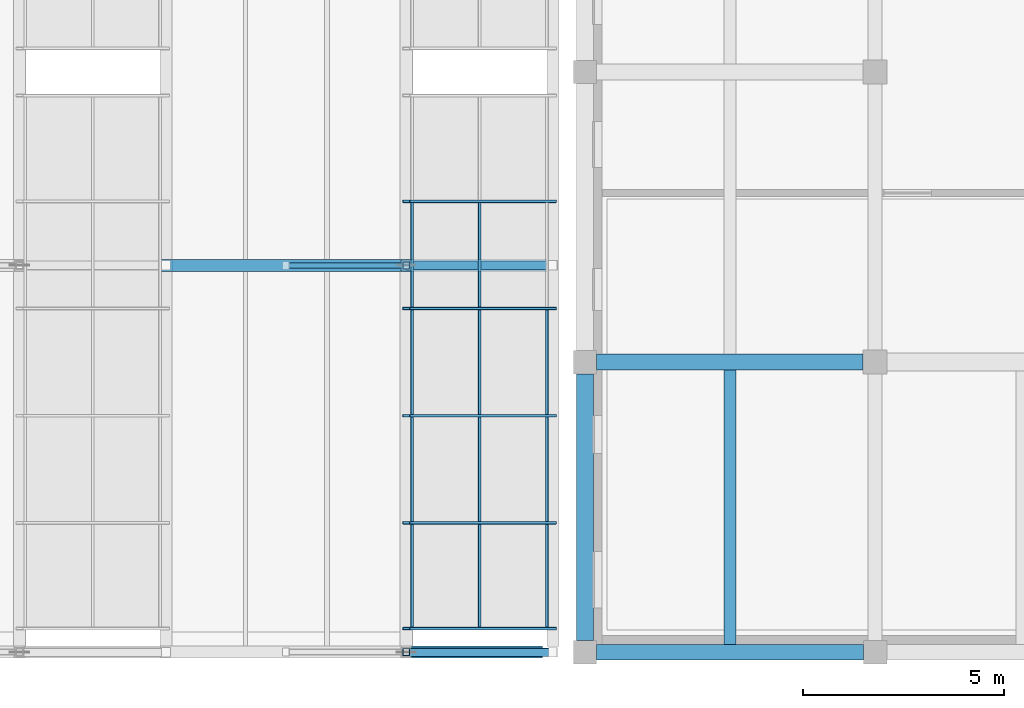
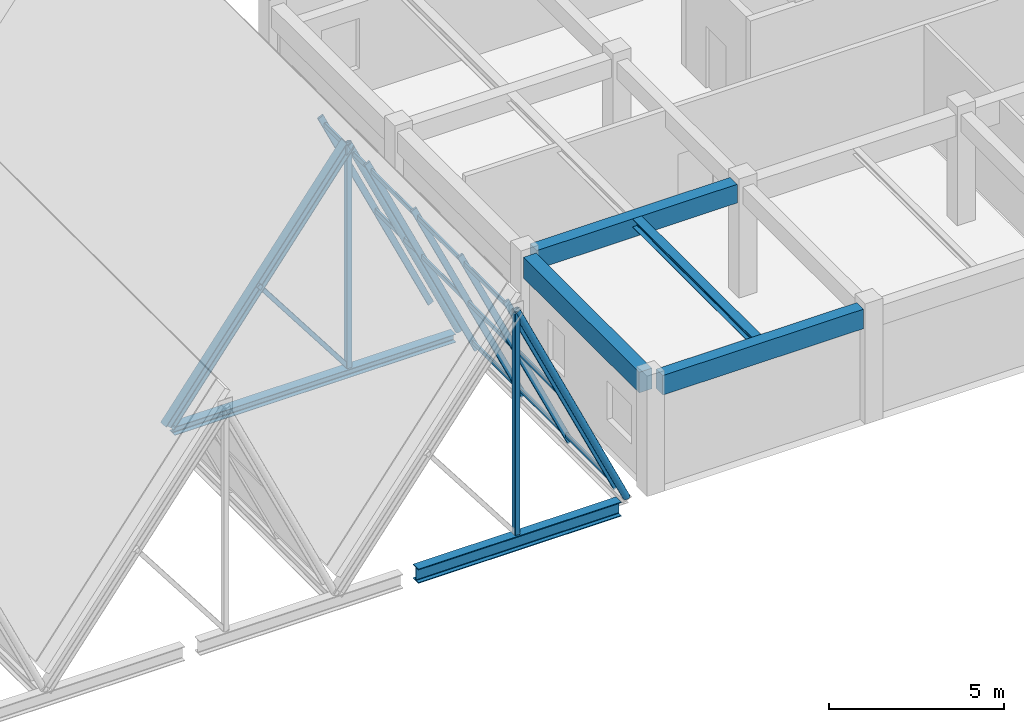
# One storey, part 20 of 99: 23 members, 5 beams, 1 element without a shape of its own.
"""IFC4 building model written with IfcOpenShell, lengths in metres."""

from ifc_helpers import new_model, si_unit, direction, frame, origin, origin_2d, place, context, subcontext, project, spatial, rectangle, hollow_rectangle, hollow_circle, i_section, extrude, material, material_profile, profile_set, type_object, element, aggregate, save


model = new_model("IFC4")

# Units and contexts
model_context = context("Model", 3, precision=1e-05, world=origin(), true_north=direction((0.0, 1.0)))
body_context = subcontext(model_context, "Body", "Model", "MODEL_VIEW")
ifc_project = project(units=[si_unit("LENGTHUNIT", "METRE"), si_unit("AREAUNIT", "SQUARE_METRE"), si_unit("VOLUMEUNIT", "CUBIC_METRE"), si_unit("PLANEANGLEUNIT", "RADIAN"), si_unit("MASSUNIT", "GRAM", prefix="KILO")], contexts=[model_context])

# Site, building, storey
site_placement = place(None, origin())
site = spatial("IfcSite", under=ifc_project, at=site_placement, CompositionType="ELEMENT")
building_placement = place(site_placement, origin())
building = spatial("IfcBuilding", under=site, at=building_placement, Name="Bramveld Media Centre", CompositionType="ELEMENT")
storey_placement = place(building_placement, frame((0.0, 0.0, 13.800048828125)))
storey = spatial("IfcBuildingStorey", under=building, at=storey_placement, Name="L03", CompositionType="ELEMENT", Elevation=13.800048828125)

# Beam
ifc_material_1 = material(Name="Concrete C40/50", Category="concrete")
ifc_material_profile_1 = material_profile(ifc_material_1, rectangle(XDim=0.39990234375, YDim=0.64990234375, at=origin_2d()), Name="RC 400x650")
ifc_profile_set_1 = profile_set([ifc_material_profile_1], Name="Concrete C40/50")
beam_type_1 = type_object("IfcBeamType", Name="BM-INT-RC-400x650", PredefinedType="BEAM", material=ifc_profile_set_1)
beam_1_placement = place(storey_placement, frame((58.68994140625, 7.199951171875, 3.635009765625), z_axis=(1.0, 0.0, 0.0), x_axis=(0.0, 1.0, 0.0)))
element("IfcBeam", 1, at=beam_1_placement, inside=storey, type_object=beam_type_1, Name="V5 L03 girder X-835", PredefinedType="BEAM", context=body_context, shape_type="SweptSolid", body=[
    extrude(rectangle(XDim=0.39990234375, YDim=0.64990234375, at=origin_2d()), origin(), (0.0, 0.0, 1.0), 6.610107421875),
])

# Curtain wall, members
ifc_material_2 = material(Name="Thermally broken anodized bronze aluminium unitized curtain wall with solar-control triple glazing", Category="aluminium")
curtain_wall_type = type_object("IfcCurtainWallType", Name="CW-SAW-13300x8606", PredefinedType="NOTDEFINED", material=ifc_material_2)
curtain_wall_placement = place(storey_placement, origin())
curtain_wall = element("IfcCurtainWall", 2, at=curtain_wall_placement, inside=storey, type_object=curtain_wall_type, Name="V2 sawtooth north-light clerestory B6-S1", PredefinedType="NOTDEFINED")
ifc_material_3 = material(Name="Thermally broken anodized bronze aluminium EN AW-6063 T6 curtain-wall framing", Category="aluminium")
ifc_material_profile_2 = material_profile(ifc_material_3, hollow_rectangle(XDim=0.070068359375, YDim=0.199951171875, WallThickness=0.00439453125, InnerFilletRadius=0.00439453125, OuterFilletRadius=0.009033203125, at=origin_2d()), Name="AL-MULL 70x200")
ifc_profile_set_2 = profile_set([ifc_material_profile_2], Name="Thermally broken anodized bronze aluminium EN AW-6063 T6 curtain-wall framing")
member_type_1 = type_object("IfcMemberType", Name="CW-MULL-SLP", PredefinedType="MULLION", material=ifc_profile_set_2)
member_1_placement = place(storey_placement, frame((57.60009765625, 0.5849609375, -0.02001953125), z_axis=(-0.423956992265, 0.0, 0.90568232218), x_axis=(0.0, -1.0, 0.0)))
member_1 = element("IfcMember", 3, at=member_1_placement, type_object=member_type_1, Name="CW-SA-13386 sloped mullion 1", PredefinedType="MULLION", context=body_context, shape_type="SweptSolid", body=[
    extrude(hollow_rectangle(XDim=0.070068359375, YDim=0.199951171875, WallThickness=0.00439453125, InnerFilletRadius=0.00439453125, OuterFilletRadius=0.009033203125, at=origin_2d()), origin(), (0.0, 0.0, 1.0), 8.5791015625),
])
member_2_placement = place(storey_placement, frame((57.60009765625, 3.2099609375, -0.02001953125), z_axis=(-0.423956992265, 0.0, 0.90568232218), x_axis=(0.0, -1.0, 0.0)))
member_2 = element("IfcMember", 4, at=member_2_placement, type_object=member_type_1, Name="CW-SA-13386 sloped mullion 2", PredefinedType="MULLION", context=body_context, shape_type="SweptSolid", body=[
    extrude(hollow_rectangle(XDim=0.070068359375, YDim=0.199951171875, WallThickness=0.00439453125, InnerFilletRadius=0.00439453125, OuterFilletRadius=0.009033203125, at=origin_2d()), origin(), (0.0, 0.0, 1.0), 8.5791015625),
])
member_3_placement = place(storey_placement, frame((57.60009765625, 5.8701171875, -0.02001953125), z_axis=(-0.423956992265, 0.0, 0.90568232218), x_axis=(0.0, -1.0, 0.0)))
member_3 = element("IfcMember", 5, at=member_3_placement, type_object=member_type_1, Name="CW-SA-13386 sloped mullion 3", PredefinedType="MULLION", context=body_context, shape_type="SweptSolid", body=[
    extrude(hollow_rectangle(XDim=0.070068359375, YDim=0.199951171875, WallThickness=0.00439453125, InnerFilletRadius=0.00439453125, OuterFilletRadius=0.009033203125, at=origin_2d()), origin(), (0.0, 0.0, 1.0), 8.5791015625),
])
member_4_placement = place(storey_placement, frame((57.60009765625, 8.530029296875, -0.02001953125), z_axis=(-0.423956992265, 0.0, 0.90568232218), x_axis=(0.0, -1.0, 0.0)))
member_4 = element("IfcMember", 6, at=member_4_placement, type_object=member_type_1, Name="CW-SA-13386 sloped mullion 4", PredefinedType="MULLION", context=body_context, shape_type="SweptSolid", body=[
    extrude(hollow_rectangle(XDim=0.070068359375, YDim=0.199951171875, WallThickness=0.00439453125, InnerFilletRadius=0.00439453125, OuterFilletRadius=0.009033203125, at=origin_2d()), origin(), (0.0, 0.0, 1.0), 8.5791015625),
])
member_5_placement = place(storey_placement, frame((57.60009765625, 11.18994140625, -0.02001953125), z_axis=(-0.423956992265, 0.0, 0.90568232218), x_axis=(0.0, -1.0, 0.0)))
member_5 = element("IfcMember", 7, at=member_5_placement, type_object=member_type_1, Name="CW-SA-13386 sloped mullion 5", PredefinedType="MULLION", context=body_context, shape_type="SweptSolid", body=[
    extrude(hollow_rectangle(XDim=0.070068359375, YDim=0.199951171875, WallThickness=0.00439453125, InnerFilletRadius=0.00439453125, OuterFilletRadius=0.009033203125, at=origin_2d()), origin(), (0.0, 0.0, 1.0), 8.5791015625),
])
ifc_material_4 = material(Name="Thermally broken anodized bronze aluminium EN AW-6063 T6 curtain-wall framing", Category="aluminium")
ifc_material_profile_3 = material_profile(ifc_material_4, hollow_rectangle(XDim=0.070068359375, YDim=0.14990234375, WallThickness=0.00390625, InnerFilletRadius=0.00390625, OuterFilletRadius=0.008056640625, at=origin_2d()), Name="AL-TRAN 70x150")
ifc_profile_set_3 = profile_set([ifc_material_profile_3], Name="Thermally broken anodized bronze aluminium EN AW-6063 T6 curtain-wall framing")
member_type_2 = type_object("IfcMemberType", Name="CW-TRAN-SLP", PredefinedType="USERDEFINED", material=ifc_profile_set_3)
member_6_placement = place(storey_placement, frame((57.45458984375, 0.6201171875, 0.290771484375), z_axis=(0.0, 1.0, 0.0), x_axis=(-1.0, 0.0, 0.0)))
member_6 = element("IfcMember", 8, at=member_6_placement, type_object=member_type_2, Name="CW-SA-13386 transom 1.1", ObjectType="TRANSOM", PredefinedType="USERDEFINED", context=body_context, shape_type="SweptSolid", body=[
    extrude(hollow_rectangle(XDim=0.070068359375, YDim=0.14990234375, WallThickness=0.00390625, InnerFilletRadius=0.00390625, OuterFilletRadius=0.008056640625, at=origin_2d()), origin(), (0.0, 0.0, 1.0), 2.554931640625),
])
member_7_placement = place(storey_placement, frame((55.781494140625, 0.6201171875, 3.864990234375), z_axis=(0.0, 1.0, 0.0), x_axis=(-1.0, 0.0, 0.0)))
member_7 = element("IfcMember", 9, at=member_7_placement, type_object=member_type_2, Name="CW-SA-13386 transom 1.2", ObjectType="TRANSOM", PredefinedType="USERDEFINED", context=body_context, shape_type="SweptSolid", body=[
    extrude(hollow_rectangle(XDim=0.070068359375, YDim=0.14990234375, WallThickness=0.00390625, InnerFilletRadius=0.00390625, OuterFilletRadius=0.008056640625, at=origin_2d()), origin(), (0.0, 0.0, 1.0), 2.554931640625),
])
member_8_placement = place(storey_placement, frame((54.1083984375, 0.6201171875, 7.439208984375), z_axis=(0.0, 1.0, 0.0), x_axis=(-1.0, 0.0, 0.0)))
member_8 = element("IfcMember", 10, at=member_8_placement, type_object=member_type_2, Name="CW-SA-13386 transom 1.3", ObjectType="TRANSOM", PredefinedType="USERDEFINED", context=body_context, shape_type="SweptSolid", body=[
    extrude(hollow_rectangle(XDim=0.070068359375, YDim=0.14990234375, WallThickness=0.00390625, InnerFilletRadius=0.00390625, OuterFilletRadius=0.008056640625, at=origin_2d()), origin(), (0.0, 0.0, 1.0), 2.554931640625),
])
member_9_placement = place(storey_placement, frame((57.45458984375, 3.2451171875, 0.290771484375), z_axis=(0.0, 1.0, 0.0), x_axis=(-1.0, 0.0, 0.0)))
member_9 = element("IfcMember", 11, at=member_9_placement, type_object=member_type_2, Name="CW-SA-13386 transom 2.1", ObjectType="TRANSOM", PredefinedType="USERDEFINED", context=body_context, shape_type="SweptSolid", body=[
    extrude(hollow_rectangle(XDim=0.070068359375, YDim=0.14990234375, WallThickness=0.00390625, InnerFilletRadius=0.00390625, OuterFilletRadius=0.008056640625, at=origin_2d()), origin(), (0.0, 0.0, 1.0), 2.58984375),
])
member_10_placement = place(storey_placement, frame((55.781494140625, 3.2451171875, 3.864990234375), z_axis=(0.0, 1.0, 0.0), x_axis=(-1.0, 0.0, 0.0)))
member_10 = element("IfcMember", 12, at=member_10_placement, type_object=member_type_2, Name="CW-SA-13386 transom 2.2", ObjectType="TRANSOM", PredefinedType="USERDEFINED", context=body_context, shape_type="SweptSolid", body=[
    extrude(hollow_rectangle(XDim=0.070068359375, YDim=0.14990234375, WallThickness=0.00390625, InnerFilletRadius=0.00390625, OuterFilletRadius=0.008056640625, at=origin_2d()), origin(), (0.0, 0.0, 1.0), 2.58984375),
])
member_11_placement = place(storey_placement, frame((54.1083984375, 3.2451171875, 7.439208984375), z_axis=(0.0, 1.0, 0.0), x_axis=(-1.0, 0.0, 0.0)))
member_11 = element("IfcMember", 13, at=member_11_placement, type_object=member_type_2, Name="CW-SA-13386 transom 2.3", ObjectType="TRANSOM", PredefinedType="USERDEFINED", context=body_context, shape_type="SweptSolid", body=[
    extrude(hollow_rectangle(XDim=0.070068359375, YDim=0.14990234375, WallThickness=0.00390625, InnerFilletRadius=0.00390625, OuterFilletRadius=0.008056640625, at=origin_2d()), origin(), (0.0, 0.0, 1.0), 2.58984375),
])
member_12_placement = place(storey_placement, frame((57.45458984375, 5.905029296875, 0.290771484375), z_axis=(0.0, 1.0, 0.0), x_axis=(-1.0, 0.0, 0.0)))
member_12 = element("IfcMember", 14, at=member_12_placement, type_object=member_type_2, Name="CW-SA-13386 transom 3.1", ObjectType="TRANSOM", PredefinedType="USERDEFINED", context=body_context, shape_type="SweptSolid", body=[
    extrude(hollow_rectangle(XDim=0.070068359375, YDim=0.14990234375, WallThickness=0.00390625, InnerFilletRadius=0.00390625, OuterFilletRadius=0.008056640625, at=origin_2d()), origin(), (0.0, 0.0, 1.0), 2.590087890625),
])
member_13_placement = place(storey_placement, frame((55.781494140625, 5.905029296875, 3.864990234375), z_axis=(0.0, 1.0, 0.0), x_axis=(-1.0, 0.0, 0.0)))
member_13 = element("IfcMember", 15, at=member_13_placement, type_object=member_type_2, Name="CW-SA-13386 transom 3.2", ObjectType="TRANSOM", PredefinedType="USERDEFINED", context=body_context, shape_type="SweptSolid", body=[
    extrude(hollow_rectangle(XDim=0.070068359375, YDim=0.14990234375, WallThickness=0.00390625, InnerFilletRadius=0.00390625, OuterFilletRadius=0.008056640625, at=origin_2d()), origin(), (0.0, 0.0, 1.0), 2.590087890625),
])
member_14_placement = place(storey_placement, frame((54.1083984375, 5.905029296875, 7.439208984375), z_axis=(0.0, 1.0, 0.0), x_axis=(-1.0, 0.0, 0.0)))
member_14 = element("IfcMember", 16, at=member_14_placement, type_object=member_type_2, Name="CW-SA-13386 transom 3.3", ObjectType="TRANSOM", PredefinedType="USERDEFINED", context=body_context, shape_type="SweptSolid", body=[
    extrude(hollow_rectangle(XDim=0.070068359375, YDim=0.14990234375, WallThickness=0.00390625, InnerFilletRadius=0.00390625, OuterFilletRadius=0.008056640625, at=origin_2d()), origin(), (0.0, 0.0, 1.0), 2.590087890625),
])
member_15_placement = place(storey_placement, frame((55.781494140625, 8.56494140625, 3.864990234375), z_axis=(0.0, 1.0, 0.0), x_axis=(-1.0, 0.0, 0.0)))
member_15 = element("IfcMember", 17, at=member_15_placement, type_object=member_type_2, Name="CW-SA-13386 transom 4.2", ObjectType="TRANSOM", PredefinedType="USERDEFINED", context=body_context, shape_type="SweptSolid", body=[
    extrude(hollow_rectangle(XDim=0.070068359375, YDim=0.14990234375, WallThickness=0.00390625, InnerFilletRadius=0.00390625, OuterFilletRadius=0.008056640625, at=origin_2d()), origin(), (0.0, 0.0, 1.0), 2.590087890625),
])
member_16_placement = place(storey_placement, frame((54.1083984375, 8.56494140625, 7.439208984375), z_axis=(0.0, 1.0, 0.0), x_axis=(-1.0, 0.0, 0.0)))
member_16 = element("IfcMember", 18, at=member_16_placement, type_object=member_type_2, Name="CW-SA-13386 transom 4.3", ObjectType="TRANSOM", PredefinedType="USERDEFINED", context=body_context, shape_type="SweptSolid", body=[
    extrude(hollow_rectangle(XDim=0.070068359375, YDim=0.14990234375, WallThickness=0.00390625, InnerFilletRadius=0.00390625, OuterFilletRadius=0.008056640625, at=origin_2d()), origin(), (0.0, 0.0, 1.0), 2.590087890625),
])
aggregate(curtain_wall, [member_1, member_2, member_3, member_4, member_5, member_6, member_7, member_8, member_9, member_10, member_11, member_12, member_13, member_14, member_15, member_16])

# Members
ifc_material_5 = material(Name="Steel S355J2H", Category="steel")
ifc_material_profile_4 = material_profile(ifc_material_5, hollow_circle(Radius=0.109619140625, WallThickness=0.012451171875, at=origin_2d()), Name="CHS 219.1x12.5")
ifc_profile_set_4 = profile_set([ifc_material_profile_4], Name="Steel S355J2H")
member_type_3 = type_object("IfcMemberType", Name="MEM-BRACE-CHS219", PredefinedType="BRACE", material=ifc_profile_set_4)
for number, where, z_axis, x_axis, name in (
    (19, (57.60009765625, 0.0, 0.0), (-0.422616785161, 0.0, 0.906308475575), (0.0, -1.0, 0.0), "TRUSS-V2-B06-F1 north-light strut"),
    (20, (57.60009765625, 9.60009765625, 0.0), (-0.422616785161, 0.0, 0.906308475575), (0.0, -1.0, 0.0), "TRUSS-V2-B06-F2 north-light strut"),
):
    element("IfcMember", number, at=place(storey_placement, frame(where, z_axis=z_axis, x_axis=x_axis)), inside=storey, type_object=member_type_3, Name=name, PredefinedType="BRACE", context=body_context, shape_type="SweptSolid", body=[
        extrude(hollow_circle(Radius=0.109619140625, WallThickness=0.012451171875, at=origin_2d()), origin(), (0.0, 0.0, 1.0), 8.6064453125),
    ])
ifc_material_6 = material(Name="Steel S355J2H", Category="steel")
ifc_material_profile_5 = material_profile(ifc_material_6, hollow_rectangle(XDim=0.14990234375, YDim=0.14990234375, WallThickness=0.010009765625, InnerFilletRadius=0.010009765625, OuterFilletRadius=0.02001953125, at=origin_2d()), Name="SHS 150x150x10")
ifc_profile_set_5 = profile_set([ifc_material_profile_5], Name="Steel S355J2H")
member_type_4 = type_object("IfcMemberType", Name="MEM-BRACE-SHS150", PredefinedType="BRACE", material=ifc_profile_set_5)
member_17_placement = place(storey_placement, frame((53.962890625, 9.60009765625, 0.0), z_axis=(-0.607343034298, 0.0, 0.794439701104), x_axis=(0.0, -1.0, 0.0)))
element("IfcMember", 21, at=member_17_placement, inside=storey, type_object=member_type_4, Name="TRUSS-V2-B06-F2 web diagonal", PredefinedType="BRACE", context=body_context, shape_type="SweptSolid", body=[
    extrude(hollow_rectangle(XDim=0.14990234375, YDim=0.14990234375, WallThickness=0.010009765625, InnerFilletRadius=0.010009765625, OuterFilletRadius=0.02001953125, at=origin_2d()), origin(), (0.0, 0.0, 1.0), 4.908935546875),
])
ifc_material_7 = material(Name="Steel S355J2", Category="steel")
ifc_material_profile_6 = material_profile(ifc_material_7, i_section(OverallWidth=0.300048828125, OverallDepth=0.2900390625, WebThickness=0.008544921875, FlangeThickness=0.013916015625, FilletRadius=0.027099609375, at=origin_2d()), Name="HEA 300")
ifc_profile_set_6 = profile_set([ifc_material_profile_6], Name="Steel S355J2")
member_type_5 = type_object("IfcMemberType", Name="MEM-CHORD-HEA300", PredefinedType="CHORD", material=ifc_profile_set_6)
member_18_placement = place(storey_placement, frame((48.159912109375, 9.60009765625, -0.14501953125), z_axis=(1.0, 0.0, 0.0), x_axis=(0.0, 1.0, 0.0)))
element("IfcMember", 22, at=member_18_placement, inside=storey, type_object=member_type_5, Name="TRUSS-V2-B06-F2 bottom tie chord", PredefinedType="CHORD", context=body_context, shape_type="SweptSolid", body=[
    extrude(i_section(OverallWidth=0.300048828125, OverallDepth=0.2900390625, WebThickness=0.008544921875, FlangeThickness=0.013916015625, FilletRadius=0.027099609375, at=origin_2d()), origin(), (0.0, 0.0, 1.0), 9.280029296875),
])
ifc_material_8 = material(Name="Steel S355J2", Category="steel")
ifc_material_profile_7 = material_profile(ifc_material_8, i_section(OverallWidth=0.300048828125, OverallDepth=0.340087890625, WebThickness=0.011962890625, FlangeThickness=0.021484375, FilletRadius=0.027099609375, at=origin_2d()), Name="HEB 340")
ifc_profile_set_7 = profile_set([ifc_material_profile_7], Name="Steel S355J2")
member_type_6 = type_object("IfcMemberType", Name="MEM-CHORD-HEB340", PredefinedType="CHORD", material=ifc_profile_set_7)
member_19_placement = place(storey_placement, frame((48.0, 9.60009765625, 0.0), z_axis=(0.607331036372, 0.0, 0.794448873282), x_axis=(0.0, 1.0, 0.0)))
element("IfcMember", 23, at=member_19_placement, inside=storey, type_object=member_type_6, Name="TRUSS-V2-B06-F2 top rafter chord", PredefinedType="CHORD", context=body_context, shape_type="SweptSolid", body=[
    extrude(i_section(OverallWidth=0.300048828125, OverallDepth=0.340087890625, WebThickness=0.011962890625, FlangeThickness=0.021484375, FilletRadius=0.027099609375, at=origin_2d()), origin(), (0.0, 0.0, 1.0), 9.818115234375),
])
ifc_material_9 = material(Name="Steel S355J2H", Category="steel")
ifc_material_profile_8 = material_profile(ifc_material_9, hollow_rectangle(XDim=0.179931640625, YDim=0.179931640625, WallThickness=0.010009765625, InnerFilletRadius=0.010009765625, OuterFilletRadius=0.02001953125, at=origin_2d()), Name="SHS 180x180x10")
ifc_profile_set_8 = profile_set([ifc_material_profile_8], Name="Steel S355J2H")
member_type_7 = type_object("IfcMemberType", Name="MEM-POST-SHS180", PredefinedType="POST", material=ifc_profile_set_8)
for number, where, z_axis, x_axis, name in (
    (24, (53.962890625, 0.0, 0.0), (0.0, 0.0, 1.0), (1.0, 0.0, 0.0), "TRUSS-V2-B06-F1 kingpost"),
    (25, (53.962890625, 9.60009765625, 0.0), (0.0, 0.0, 1.0), (1.0, 0.0, 0.0), "TRUSS-V2-B06-F2 kingpost"),
):
    element("IfcMember", number, at=place(storey_placement, frame(where, z_axis=z_axis, x_axis=x_axis)), inside=storey, type_object=member_type_7, Name=name, PredefinedType="POST", context=body_context, shape_type="SweptSolid", body=[
        extrude(hollow_rectangle(XDim=0.179931640625, YDim=0.179931640625, WallThickness=0.010009765625, InnerFilletRadius=0.010009765625, OuterFilletRadius=0.02001953125, at=origin_2d()), origin(), (0.0, 0.0, 1.0), 7.800048828125),
    ])

# Beams
ifc_material_10 = material(Name="Steel S355J2", Category="steel")
ifc_material_profile_9 = material_profile(ifc_material_10, i_section(OverallWidth=0.300048828125, OverallDepth=0.5, WebThickness=0.014404296875, FlangeThickness=0.028076171875, FilletRadius=0.027099609375, at=origin_2d()), Name="HEB 500")
ifc_profile_set_9 = profile_set([ifc_material_profile_9], Name="Steel S355J2")
beam_type_2 = type_object("IfcBeamType", Name="SBM-EXT-HEB-500", PredefinedType="BEAM", material=ifc_profile_set_9)
beam_2_placement = place(storey_placement, frame((50.64990234375, 0.0, -0.25), z_axis=(1.0, 0.0, 0.0), x_axis=(0.0, 1.0, 0.0)))
element("IfcBeam", 26, at=beam_2_placement, inside=storey, type_object=beam_type_2, Name="V2 sawtooth tie girder", PredefinedType="BEAM", context=body_context, shape_type="SweptSolid", body=[
    extrude(i_section(OverallWidth=0.300048828125, OverallDepth=0.5, WebThickness=0.014404296875, FlangeThickness=0.028076171875, FilletRadius=0.027099609375, at=origin_2d()), origin(), (0.0, 0.0, 1.0), 6.7001953125),
])
ifc_material_11 = material(Name="Steel S355J2", Category="steel")
ifc_material_profile_10 = material_profile(ifc_material_11, i_section(OverallWidth=0.300048828125, OverallDepth=0.2900390625, WebThickness=0.008544921875, FlangeThickness=0.013916015625, FilletRadius=0.027099609375, at=origin_2d()), Name="HEA 300")
ifc_profile_set_10 = profile_set([ifc_material_profile_10], Name="Steel S355J2")
beam_type_3 = type_object("IfcBeamType", Name="SBM-INT-HEA-300", PredefinedType="BEAM", material=ifc_profile_set_10)
beam_3_placement = place(storey_placement, frame((62.0, 0.18994140625, 3.81494140625), z_axis=(0.0, 1.0, 0.0), x_axis=(-1.0, 0.0, 0.0)))
element("IfcBeam", 27, at=beam_3_placement, inside=storey, type_object=beam_type_3, Name="V5 L03 secondary floor joist 863", PredefinedType="BEAM", context=body_context, shape_type="SweptSolid", body=[
    extrude(i_section(OverallWidth=0.300048828125, OverallDepth=0.2900390625, WebThickness=0.008544921875, FlangeThickness=0.013916015625, FilletRadius=0.027099609375, at=origin_2d()), origin(), (0.0, 0.0, 1.0), 6.81005859375),
])
ifc_material_12 = material(Name="Concrete C40/50", Category="concrete")
ifc_material_profile_11 = material_profile(ifc_material_12, rectangle(XDim=0.3798828125, YDim=0.679931640625, at=origin_2d()), Name="RC 380x680")
ifc_profile_set_11 = profile_set([ifc_material_profile_11], Name="Concrete C40/50")
beam_type_4 = type_object("IfcBeamType", Name="SPANDREL-EXT-RC-380x680", PredefinedType="SPANDREL", material=ifc_profile_set_11)
beam_4_placement = place(storey_placement, frame((58.68994140625, 0.0, 3.619873046875), z_axis=(1.0, 0.0, 0.0), x_axis=(0.0, 1.0, 0.0)))
element("IfcBeam", 28, at=beam_4_placement, inside=storey, type_object=beam_type_4, Name="V5 L03 girder X-830", PredefinedType="SPANDREL", context=body_context, shape_type="SweptSolid", body=[
    extrude(rectangle(XDim=0.3798828125, YDim=0.679931640625, at=origin_2d()), origin(), (0.0, 0.0, 1.0), 6.6201171875),
])
ifc_material_13 = material(Name="Concrete C40/50", Category="concrete")
ifc_material_profile_12 = material_profile(ifc_material_13, rectangle(XDim=0.419921875, YDim=0.719970703125, at=origin_2d()), Name="RC 420x720")
ifc_profile_set_12 = profile_set([ifc_material_profile_12], Name="Concrete C40/50")
beam_type_5 = type_object("IfcBeamType", Name="SPANDREL-EXT-RC-420x720", PredefinedType="SPANDREL", material=ifc_profile_set_12)
beam_5_placement = place(storey_placement, frame((58.39990234375, 0.2900390625, 3.599853515625), z_axis=(0.0, 1.0, 0.0), x_axis=(-1.0, 0.0, 0.0)))
element("IfcBeam", 29, at=beam_5_placement, inside=storey, type_object=beam_type_5, Name="V5 L03 girder Y-847", PredefinedType="SPANDREL", context=body_context, shape_type="SweptSolid", body=[
    extrude(rectangle(XDim=0.419921875, YDim=0.719970703125, at=origin_2d()), origin(), (0.0, 0.0, 1.0), 6.619873046875),
])

save(model, "model.ifc")
